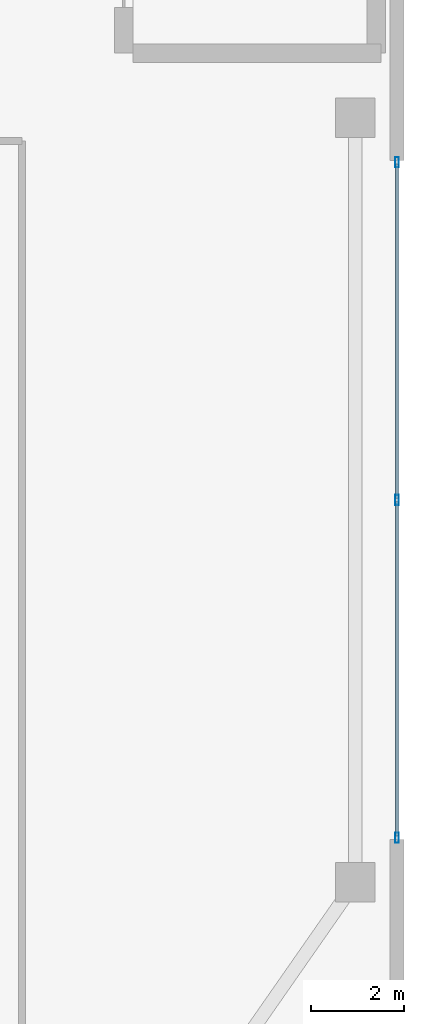
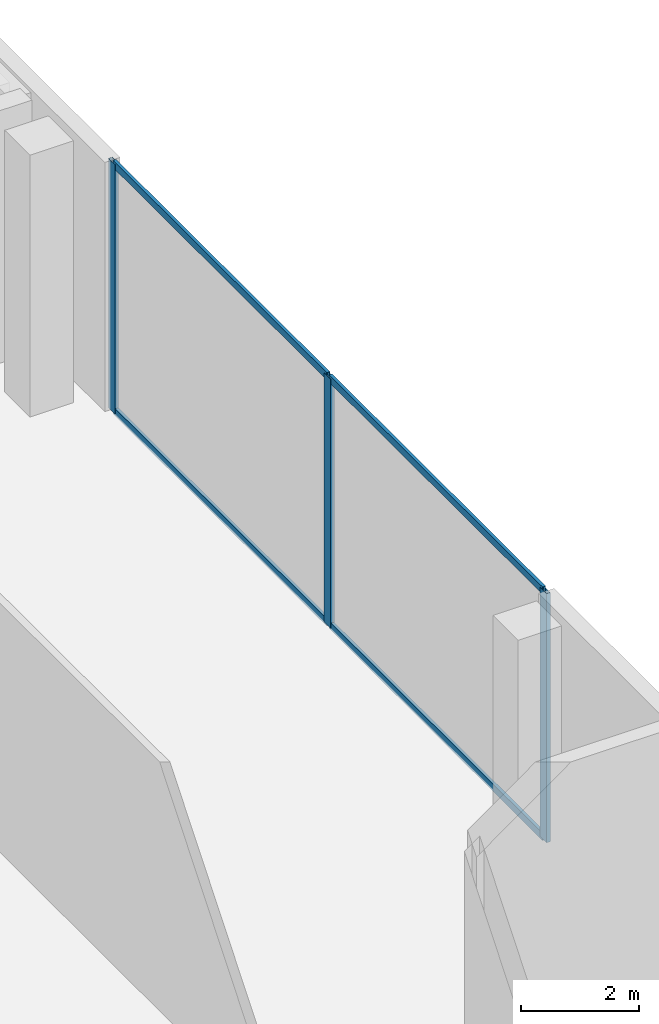
# One storey, part 20 of 30: 7 members, 1 element without a shape of its own.
"""IFC4 building model written with IfcOpenShell, lengths in metres."""

from ifc_helpers import new_model, si_unit, direction, frame, origin, origin_2d, place, context, subcontext, project, spatial, hollow_rectangle, extrude, material, layer, layer_set, material_profile, profile_set, type_object, element, aggregate, save


model = new_model("IFC4")

# Units and contexts
model_context = context("Model", 3, precision=1e-05, world=origin(), true_north=direction((0.0, 1.0)))
body_context = subcontext(model_context, "Body", "Model", "MODEL_VIEW")
ifc_project = project(units=[si_unit("LENGTHUNIT", "METRE"), si_unit("AREAUNIT", "SQUARE_METRE"), si_unit("VOLUMEUNIT", "CUBIC_METRE"), si_unit("PLANEANGLEUNIT", "RADIAN"), si_unit("MASSUNIT", "GRAM", prefix="KILO")], contexts=[model_context])

# Site, building, storey
site_placement = place(None, origin())
site = spatial("IfcSite", under=ifc_project, at=site_placement, CompositionType="ELEMENT")
building_placement = place(site_placement, origin())
building = spatial("IfcBuilding", under=site, at=building_placement, Name="Zuhayl Quay Hotel", CompositionType="ELEMENT")
storey_placement = place(building_placement, frame((0.0, 0.0, 6.0)))
storey = spatial("IfcBuildingStorey", under=building, at=storey_placement, Name="L01", CompositionType="ELEMENT", Elevation=6.0)

# Curtain wall, members
ifc_material_1 = material(Name="Anodised Aluminium 6063-T6", Category="aluminium")
ifc_layer = layer(ifc_material_1, 0.199951171875, Name="Anodised Aluminium 6063-T6", Category="aluminium")
ifc_layer_set = layer_set([ifc_layer], Name="Anodised Aluminium 6063-T6")
curtain_wall_type = type_object("IfcCurtainWallType", Name="CW_SYS_POD", PredefinedType="USERDEFINED", material=ifc_layer_set)
curtain_wall_placement = place(storey_placement, origin())
curtain_wall = element("IfcCurtainWall", 1, at=curtain_wall_placement, inside=storey, type_object=curtain_wall_type, Name="L01 Curtain Wall ENV_L01_E08_CW3", ObjectType="UNITISED CURTAIN WALL", PredefinedType="USERDEFINED")
ifc_material_2 = material(Name="Black-anodised aluminium 6063-T6", Category="aluminium")
ifc_material_profile_1 = material_profile(ifc_material_2, hollow_rectangle(XDim=0.074951171875, YDim=0.219970703125, WallThickness=0.00390625, at=origin_2d()), Name="ALU220X75")
ifc_profile_set_1 = profile_set([ifc_material_profile_1], Name="Black-anodised aluminium 6063-T6")
member_type_1 = type_object("IfcMemberType", Name="MB_CW_MUL_220", PredefinedType="MULLION", material=ifc_profile_set_1)
member_1_placement = place(storey_placement, frame((36.0, -0.95751953125, 0.0), z_axis=(0.0, 0.0, 1.0), x_axis=(1.0, 0.0, 0.0)))
member_1 = element("IfcMember", 2, at=member_1_placement, type_object=member_type_1, Name="CW-POD mullion 1", PredefinedType="MULLION", context=body_context, shape_type="SweptSolid", body=[
    extrude(hollow_rectangle(XDim=0.074951171875, YDim=0.219970703125, WallThickness=0.00390625, at=origin_2d()), origin(), (0.0, 0.0, 1.0), 5.139892578125),
])
member_2_placement = place(storey_placement, frame((36.0, -8.25, 0.0), z_axis=(0.0, 0.0, 1.0), x_axis=(1.0, 0.0, 0.0)))
member_2 = element("IfcMember", 3, at=member_2_placement, type_object=member_type_1, Name="CW-POD mullion 2", PredefinedType="MULLION", context=body_context, shape_type="SweptSolid", body=[
    extrude(hollow_rectangle(XDim=0.074951171875, YDim=0.219970703125, WallThickness=0.00390625, at=origin_2d()), origin(), (0.0, 0.0, 1.0), 5.139892578125),
])
member_3_placement = place(storey_placement, frame((36.0, -15.54248046875, 0.0), z_axis=(0.0, 0.0, 1.0), x_axis=(1.0, 0.0, 0.0)))
member_3 = element("IfcMember", 4, at=member_3_placement, type_object=member_type_1, Name="CW-POD mullion 3", PredefinedType="MULLION", context=body_context, shape_type="SweptSolid", body=[
    extrude(hollow_rectangle(XDim=0.074951171875, YDim=0.219970703125, WallThickness=0.00390625, at=origin_2d()), origin(), (0.0, 0.0, 1.0), 5.139892578125),
])
ifc_material_profile_2 = material_profile(ifc_material_2, hollow_rectangle(XDim=0.06005859375, YDim=0.14990234375, WallThickness=0.00341796875, at=origin_2d()), Name="ALU150X60")
ifc_profile_set_2 = profile_set([ifc_material_profile_2], Name="Black-anodised aluminium 6063-T6")
member_type_2 = type_object("IfcMemberType", Name="MB_CW_TRN_150", PredefinedType="USERDEFINED", material=ifc_profile_set_2)
member_4_placement = place(storey_placement, frame((36.0, -0.9951171875, 0.030029296875), z_axis=(0.0, -1.0, 0.0), x_axis=(1.0, 0.0, 0.0)))
member_4 = element("IfcMember", 5, at=member_4_placement, type_object=member_type_2, Name="CW-POD transom 1.1", ObjectType="TRANSOM", PredefinedType="USERDEFINED", context=body_context, shape_type="SweptSolid", body=[
    extrude(hollow_rectangle(XDim=0.06005859375, YDim=0.14990234375, WallThickness=0.00341796875, at=origin_2d()), origin(), (0.0, 0.0, 1.0), 7.21728515625),
])
member_5_placement = place(storey_placement, frame((36.0, -0.9951171875, 5.110107421875), z_axis=(0.0, -1.0, 0.0), x_axis=(1.0, 0.0, 0.0)))
member_5 = element("IfcMember", 6, at=member_5_placement, type_object=member_type_2, Name="CW-POD transom 1.2", ObjectType="TRANSOM", PredefinedType="USERDEFINED", context=body_context, shape_type="SweptSolid", body=[
    extrude(hollow_rectangle(XDim=0.06005859375, YDim=0.14990234375, WallThickness=0.00341796875, at=origin_2d()), origin(), (0.0, 0.0, 1.0), 7.21728515625),
])
member_6_placement = place(storey_placement, frame((36.0, -8.28759765625, 0.030029296875), z_axis=(0.0, -1.0, 0.0), x_axis=(1.0, 0.0, 0.0)))
member_6 = element("IfcMember", 7, at=member_6_placement, type_object=member_type_2, Name="CW-POD transom 2.1", ObjectType="TRANSOM", PredefinedType="USERDEFINED", context=body_context, shape_type="SweptSolid", body=[
    extrude(hollow_rectangle(XDim=0.06005859375, YDim=0.14990234375, WallThickness=0.00341796875, at=origin_2d()), origin(), (0.0, 0.0, 1.0), 7.21728515625),
])
member_7_placement = place(storey_placement, frame((36.0, -8.28759765625, 5.110107421875), z_axis=(0.0, -1.0, 0.0), x_axis=(1.0, 0.0, 0.0)))
member_7 = element("IfcMember", 8, at=member_7_placement, type_object=member_type_2, Name="CW-POD transom 2.2", ObjectType="TRANSOM", PredefinedType="USERDEFINED", context=body_context, shape_type="SweptSolid", body=[
    extrude(hollow_rectangle(XDim=0.06005859375, YDim=0.14990234375, WallThickness=0.00341796875, at=origin_2d()), origin(), (0.0, 0.0, 1.0), 7.21728515625),
])
aggregate(curtain_wall, [member_1, member_2, member_3, member_4, member_5, member_6, member_7])

save(model, "model.ifc")
